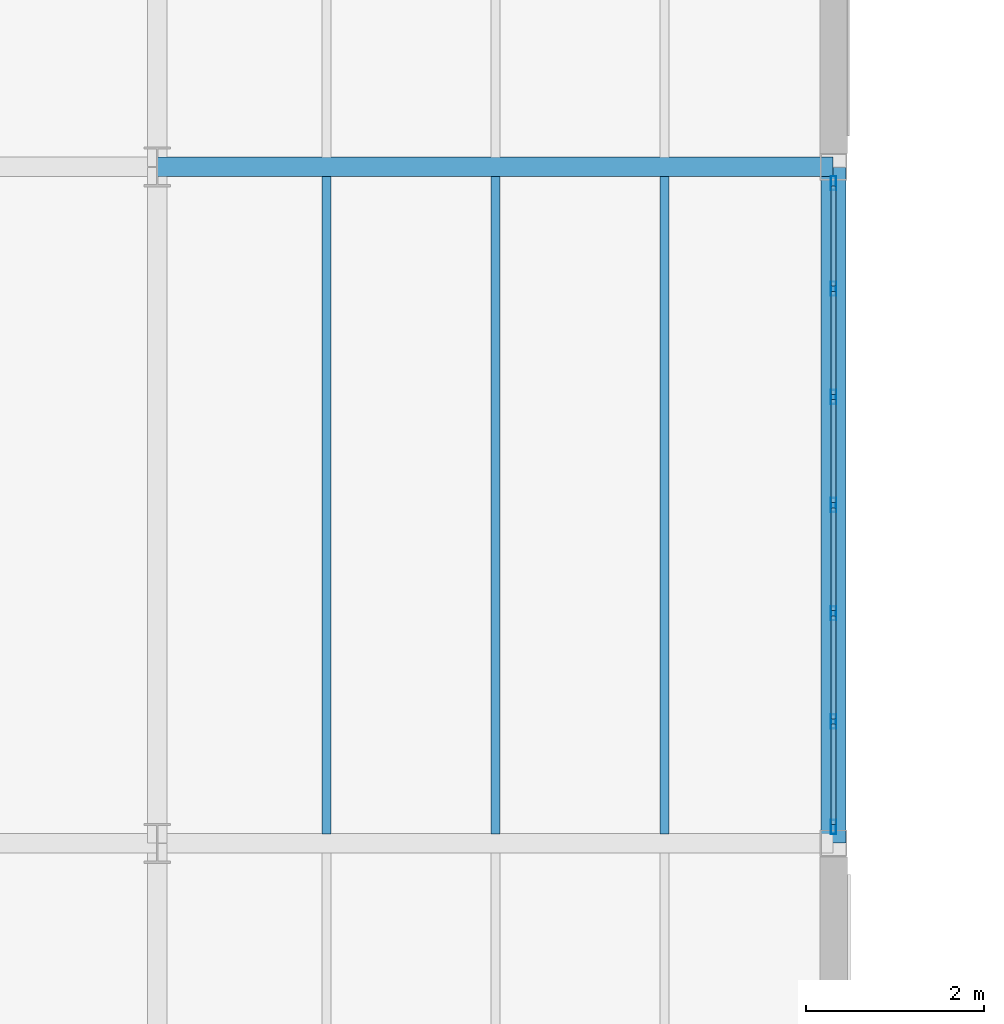
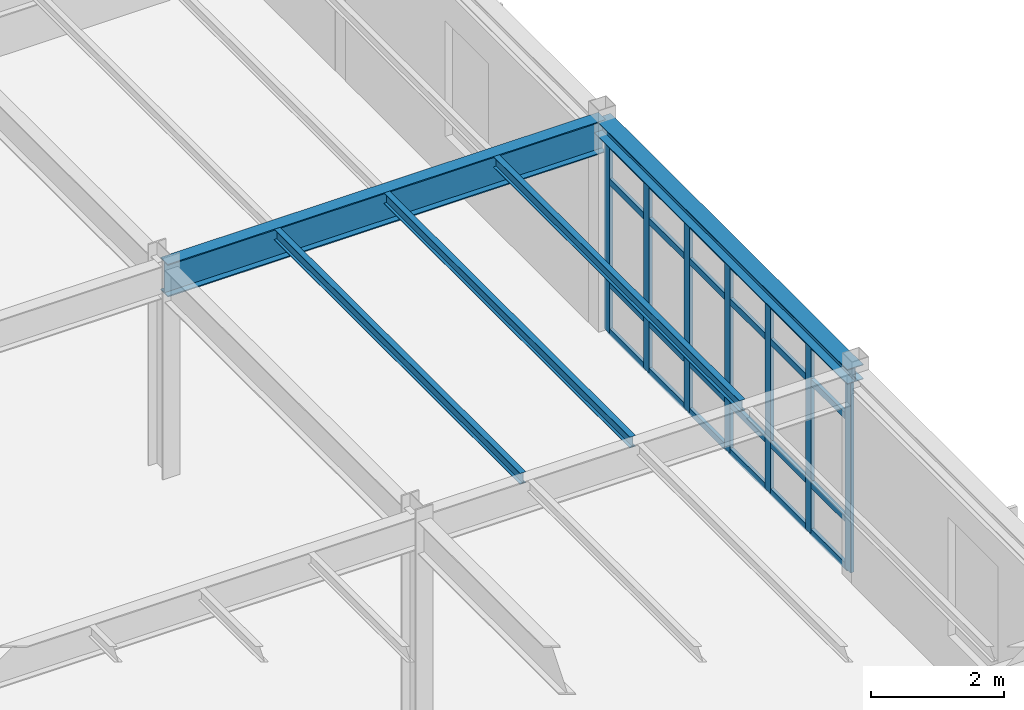
# One storey, part 71 of 165: 31 members, 5 beams, 1 element without a shape of its own.
"""IFC4 building model written with IfcOpenShell, lengths in metres."""

from ifc_helpers import new_model, si_unit, direction, frame, origin, origin_2d, place, context, subcontext, project, spatial, hollow_rectangle, i_section, extrude, material, layer, layer_set, material_profile, profile_set, type_object, element, aggregate, save


model = new_model("IFC4")

# Units and contexts
model_context = context("Model", 3, precision=1e-05, world=origin(), true_north=direction((0.0, 1.0)))
body_context = subcontext(model_context, "Body", "Model", "MODEL_VIEW")
ifc_project = project(units=[si_unit("LENGTHUNIT", "METRE"), si_unit("AREAUNIT", "SQUARE_METRE"), si_unit("VOLUMEUNIT", "CUBIC_METRE"), si_unit("PLANEANGLEUNIT", "RADIAN"), si_unit("MASSUNIT", "GRAM", prefix="KILO")], contexts=[model_context])

# Site, building, storey
site_placement = place(None, origin())
site = spatial("IfcSite", under=ifc_project, at=site_placement, CompositionType="ELEMENT")
building_placement = place(site_placement, origin())
building = spatial("IfcBuilding", under=site, at=building_placement, Name="Montecoro Central Library", CompositionType="ELEMENT")
storey_placement = place(building_placement, frame((0.0, 0.0, 5.10009765625)))
storey = spatial("IfcBuildingStorey", under=building, at=storey_placement, Name="L01", CompositionType="ELEMENT", Elevation=5.10009765625)

# Beams
ifc_material_1 = material(Name="Steel S355J2", Category="steel")
ifc_material_profile_1 = material_profile(ifc_material_1, i_section(OverallWidth=0.219970703125, OverallDepth=0.60009765625, WebThickness=0.011962890625, FlangeThickness=0.01904296875, at=origin_2d()), Name="IPE 600")
ifc_profile_set_1 = profile_set([ifc_material_profile_1], Name="Steel S355J2")
beam_type_1 = type_object("IfcBeamType", Name="BM-G-IPE600", PredefinedType="USERDEFINED", material=ifc_profile_set_1)
beam_1_placement = place(storey_placement, frame((35.405029296875, 88.60009765625, 3.52490234375), z_axis=(1.0, 0.0, 0.0), x_axis=(0.0, 1.0, 0.0)))
element("IfcBeam", 1, at=beam_1_placement, inside=storey, type_object=beam_type_1, Name="V4-L01-BX-56-M", ObjectType="GIRDER", PredefinedType="USERDEFINED", context=body_context, shape_type="SweptSolid", body=[
    extrude(i_section(OverallWidth=0.219970703125, OverallDepth=0.60009765625, WebThickness=0.011962890625, FlangeThickness=0.01904296875, at=origin_2d()), origin(), (0.0, 0.0, 1.0), 7.590087890625),
])
ifc_material_2 = material(Name="Steel S355", Category="steel")
ifc_material_profile_2 = material_profile(ifc_material_2, i_section(OverallWidth=0.10009765625, OverallDepth=0.199951171875, WebThickness=0.005615234375, FlangeThickness=0.008544921875, at=origin_2d()), Name="IPE 200")
ifc_profile_set_2 = profile_set([ifc_material_profile_2], Name="Steel S355")
beam_type_2 = type_object("IfcBeamType", Name="BM-J-IPE200", PredefinedType="JOIST", material=ifc_profile_set_2)
for number, where, z_axis, x_axis, name in (
    (2, (37.300048828125, 81.10693359375, 3.724853515625), (0.0, 1.0, 0.0), (-1.0, 0.0, 0.0), "V4-L01-JS-56-LM-1"),
    (3, (39.199951171875, 81.10693359375, 3.724853515625), (0.0, 1.0, 0.0), (-1.0, 0.0, 0.0), "V4-L01-JS-56-LM-2"),
    (4, (41.10009765625, 81.10693359375, 3.724853515625), (0.0, 1.0, 0.0), (-1.0, 0.0, 0.0), "V4-L01-JS-56-LM-3"),
):
    element("IfcBeam", number, at=place(storey_placement, frame(where, z_axis=z_axis, x_axis=x_axis)), inside=storey, type_object=beam_type_2, Name=name, PredefinedType="JOIST", context=body_context, shape_type="SweptSolid", body=[
        extrude(i_section(OverallWidth=0.10009765625, OverallDepth=0.199951171875, WebThickness=0.005615234375, FlangeThickness=0.008544921875, at=origin_2d()), origin(), (0.0, 0.0, 1.0), 7.385986328125),
    ])
ifc_material_profile_3 = material_profile(ifc_material_2, i_section(OverallWidth=0.280029296875, OverallDepth=0.27001953125, WebThickness=0.008056640625, FlangeThickness=0.012939453125, at=origin_2d()), Name="HEA 280")
ifc_profile_set_3 = profile_set([ifc_material_profile_3], Name="Steel S355")
beam_type_3 = type_object("IfcBeamType", Name="BM-SP-HEA280", PredefinedType="SPANDREL", material=ifc_profile_set_3)
beam_2_placement = place(storey_placement, frame((43.0, 81.0048828125, 3.68994140625), z_axis=(0.0, 1.0, 0.0), x_axis=(-1.0, 0.0, 0.0)))
element("IfcBeam", 5, at=beam_2_placement, inside=storey, type_object=beam_type_3, Name="V4-L01-BY-6-LM", PredefinedType="SPANDREL", context=body_context, shape_type="SweptSolid", body=[
    extrude(i_section(OverallWidth=0.280029296875, OverallDepth=0.27001953125, WebThickness=0.008056640625, FlangeThickness=0.012939453125, at=origin_2d()), origin(), (0.0, 0.0, 1.0), 7.590087890625),
])

# Curtain wall, members
ifc_material_3 = material(Name="Bronze-anodised aluminium and low-E glazing", Category="aluminium")
ifc_layer = layer(ifc_material_3, 0.159912109375)
ifc_layer_set = layer_set([ifc_layer], Name="Bronze-anodised aluminium and low-E glazing")
curtain_wall_type = type_object("IfcCurtainWallType", Name="CWT-043", PredefinedType="NOTDEFINED", material=ifc_layer_set)
curtain_wall_placement = place(storey_placement, origin())
curtain_wall = element("IfcCurtainWall", 6, at=curtain_wall_placement, inside=storey, type_object=curtain_wall_type, Name="V4-L01-CW-E1", PredefinedType="NOTDEFINED")
ifc_material_4 = material(Name="Bronze-anodised aluminium", Category="aluminium")
ifc_material_profile_4 = material_profile(ifc_material_4, hollow_rectangle(XDim=0.06005859375, YDim=0.159912109375, WallThickness=0.00390625, at=origin_2d()), Name="CWM 160x60x4.0")
ifc_profile_set_4 = profile_set([ifc_material_profile_4], Name="Bronze-anodised aluminium")
member_type_1 = type_object("IfcMemberType", Name="CWM-BRZ-60", PredefinedType="MULLION", material=ifc_profile_set_4)
member_1_placement = place(storey_placement, frame((43.0, 81.18310546875, 0.0), z_axis=(0.0, 0.0, 1.0), x_axis=(-1.0, 0.0, 0.0)))
member_1 = element("IfcMember", 7, at=member_1_placement, type_object=member_type_1, Name="CW-043 mullion 1", PredefinedType="MULLION", context=body_context, shape_type="SweptSolid", body=[
    extrude(hollow_rectangle(XDim=0.06005859375, YDim=0.159912109375, WallThickness=0.00390625, at=origin_2d()), origin(), (0.0, 0.0, 1.0), 3.47998046875),
])
member_2_placement = place(storey_placement, frame((43.0, 82.36865234375, 0.0), z_axis=(0.0, 0.0, 1.0), x_axis=(-1.0, 0.0, 0.0)))
member_2 = element("IfcMember", 8, at=member_2_placement, type_object=member_type_1, Name="CW-043 mullion 2", PredefinedType="MULLION", context=body_context, shape_type="SweptSolid", body=[
    extrude(hollow_rectangle(XDim=0.06005859375, YDim=0.159912109375, WallThickness=0.00390625, at=origin_2d()), origin(), (0.0, 0.0, 1.0), 3.47998046875),
])
member_3_placement = place(storey_placement, frame((43.0, 83.584228515625, 0.0), z_axis=(0.0, 0.0, 1.0), x_axis=(-1.0, 0.0, 0.0)))
member_3 = element("IfcMember", 9, at=member_3_placement, type_object=member_type_1, Name="CW-043 mullion 3", PredefinedType="MULLION", context=body_context, shape_type="SweptSolid", body=[
    extrude(hollow_rectangle(XDim=0.06005859375, YDim=0.159912109375, WallThickness=0.00390625, at=origin_2d()), origin(), (0.0, 0.0, 1.0), 3.47998046875),
])
member_4_placement = place(storey_placement, frame((43.0, 84.800048828125, 0.0), z_axis=(0.0, 0.0, 1.0), x_axis=(-1.0, 0.0, 0.0)))
member_4 = element("IfcMember", 10, at=member_4_placement, type_object=member_type_1, Name="CW-043 mullion 4", PredefinedType="MULLION", context=body_context, shape_type="SweptSolid", body=[
    extrude(hollow_rectangle(XDim=0.06005859375, YDim=0.159912109375, WallThickness=0.00390625, at=origin_2d()), origin(), (0.0, 0.0, 1.0), 3.47998046875),
])
member_5_placement = place(storey_placement, frame((43.0, 86.015625, 0.0), z_axis=(0.0, 0.0, 1.0), x_axis=(-1.0, 0.0, 0.0)))
member_5 = element("IfcMember", 11, at=member_5_placement, type_object=member_type_1, Name="CW-043 mullion 5", PredefinedType="MULLION", context=body_context, shape_type="SweptSolid", body=[
    extrude(hollow_rectangle(XDim=0.06005859375, YDim=0.159912109375, WallThickness=0.00390625, at=origin_2d()), origin(), (0.0, 0.0, 1.0), 3.47998046875),
])
member_6_placement = place(storey_placement, frame((43.0, 87.2314453125, 0.0), z_axis=(0.0, 0.0, 1.0), x_axis=(-1.0, 0.0, 0.0)))
member_6 = element("IfcMember", 12, at=member_6_placement, type_object=member_type_1, Name="CW-043 mullion 6", PredefinedType="MULLION", context=body_context, shape_type="SweptSolid", body=[
    extrude(hollow_rectangle(XDim=0.06005859375, YDim=0.159912109375, WallThickness=0.00390625, at=origin_2d()), origin(), (0.0, 0.0, 1.0), 3.47998046875),
])
member_7_placement = place(storey_placement, frame((43.0, 88.4169921875, 0.0), z_axis=(0.0, 0.0, 1.0), x_axis=(-1.0, 0.0, 0.0)))
member_7 = element("IfcMember", 13, at=member_7_placement, type_object=member_type_1, Name="CW-043 mullion 7", PredefinedType="MULLION", context=body_context, shape_type="SweptSolid", body=[
    extrude(hollow_rectangle(XDim=0.06005859375, YDim=0.159912109375, WallThickness=0.00390625, at=origin_2d()), origin(), (0.0, 0.0, 1.0), 3.47998046875),
])
ifc_material_profile_5 = material_profile(ifc_material_4, hollow_rectangle(XDim=0.06005859375, YDim=0.1201171875, WallThickness=0.00390625, at=origin_2d()), Name="CWT 120x60x4.0")
ifc_profile_set_5 = profile_set([ifc_material_profile_5], Name="Bronze-anodised aluminium")
member_type_2 = type_object("IfcMemberType", Name="CWT-BRZ-60", PredefinedType="USERDEFINED", material=ifc_profile_set_5)
member_8_placement = place(storey_placement, frame((43.0, 81.212890625, 0.02978515625), z_axis=(0.0, 1.0, 0.0), x_axis=(-1.0, 0.0, 0.0)))
member_8 = element("IfcMember", 14, at=member_8_placement, type_object=member_type_2, Name="CW-043 transom 1.1", ObjectType="TRANSOM", PredefinedType="USERDEFINED", context=body_context, shape_type="SweptSolid", body=[
    extrude(hollow_rectangle(XDim=0.06005859375, YDim=0.1201171875, WallThickness=0.00390625, at=origin_2d()), origin(), (0.0, 0.0, 1.0), 1.125732421875),
])
member_9_placement = place(storey_placement, frame((43.0, 81.212890625, 0.89990234375), z_axis=(0.0, 1.0, 0.0), x_axis=(-1.0, 0.0, 0.0)))
member_9 = element("IfcMember", 15, at=member_9_placement, type_object=member_type_2, Name="CW-043 transom 1.2", ObjectType="TRANSOM", PredefinedType="USERDEFINED", context=body_context, shape_type="SweptSolid", body=[
    extrude(hollow_rectangle(XDim=0.06005859375, YDim=0.1201171875, WallThickness=0.00390625, at=origin_2d()), origin(), (0.0, 0.0, 1.0), 1.125732421875),
])
member_10_placement = place(storey_placement, frame((43.0, 81.212890625, 2.77978515625), z_axis=(0.0, 1.0, 0.0), x_axis=(-1.0, 0.0, 0.0)))
member_10 = element("IfcMember", 16, at=member_10_placement, type_object=member_type_2, Name="CW-043 transom 1.3", ObjectType="TRANSOM", PredefinedType="USERDEFINED", context=body_context, shape_type="SweptSolid", body=[
    extrude(hollow_rectangle(XDim=0.06005859375, YDim=0.1201171875, WallThickness=0.00390625, at=origin_2d()), origin(), (0.0, 0.0, 1.0), 1.125732421875),
])
member_11_placement = place(storey_placement, frame((43.0, 81.212890625, 3.449951171875), z_axis=(0.0, 1.0, 0.0), x_axis=(-1.0, 0.0, 0.0)))
member_11 = element("IfcMember", 17, at=member_11_placement, type_object=member_type_2, Name="CW-043 transom 1.4", ObjectType="TRANSOM", PredefinedType="USERDEFINED", context=body_context, shape_type="SweptSolid", body=[
    extrude(hollow_rectangle(XDim=0.06005859375, YDim=0.1201171875, WallThickness=0.00390625, at=origin_2d()), origin(), (0.0, 0.0, 1.0), 1.125732421875),
])
member_12_placement = place(storey_placement, frame((43.0, 82.398681640625, 0.02978515625), z_axis=(0.0, 1.0, 0.0), x_axis=(-1.0, 0.0, 0.0)))
member_12 = element("IfcMember", 18, at=member_12_placement, type_object=member_type_2, Name="CW-043 transom 2.1", ObjectType="TRANSOM", PredefinedType="USERDEFINED", context=body_context, shape_type="SweptSolid", body=[
    extrude(hollow_rectangle(XDim=0.06005859375, YDim=0.1201171875, WallThickness=0.00390625, at=origin_2d()), origin(), (0.0, 0.0, 1.0), 1.15576171875),
])
member_13_placement = place(storey_placement, frame((43.0, 82.398681640625, 0.89990234375), z_axis=(0.0, 1.0, 0.0), x_axis=(-1.0, 0.0, 0.0)))
member_13 = element("IfcMember", 19, at=member_13_placement, type_object=member_type_2, Name="CW-043 transom 2.2", ObjectType="TRANSOM", PredefinedType="USERDEFINED", context=body_context, shape_type="SweptSolid", body=[
    extrude(hollow_rectangle(XDim=0.06005859375, YDim=0.1201171875, WallThickness=0.00390625, at=origin_2d()), origin(), (0.0, 0.0, 1.0), 1.15576171875),
])
member_14_placement = place(storey_placement, frame((43.0, 82.398681640625, 2.77978515625), z_axis=(0.0, 1.0, 0.0), x_axis=(-1.0, 0.0, 0.0)))
member_14 = element("IfcMember", 20, at=member_14_placement, type_object=member_type_2, Name="CW-043 transom 2.3", ObjectType="TRANSOM", PredefinedType="USERDEFINED", context=body_context, shape_type="SweptSolid", body=[
    extrude(hollow_rectangle(XDim=0.06005859375, YDim=0.1201171875, WallThickness=0.00390625, at=origin_2d()), origin(), (0.0, 0.0, 1.0), 1.15576171875),
])
member_15_placement = place(storey_placement, frame((43.0, 82.398681640625, 3.449951171875), z_axis=(0.0, 1.0, 0.0), x_axis=(-1.0, 0.0, 0.0)))
member_15 = element("IfcMember", 21, at=member_15_placement, type_object=member_type_2, Name="CW-043 transom 2.4", ObjectType="TRANSOM", PredefinedType="USERDEFINED", context=body_context, shape_type="SweptSolid", body=[
    extrude(hollow_rectangle(XDim=0.06005859375, YDim=0.1201171875, WallThickness=0.00390625, at=origin_2d()), origin(), (0.0, 0.0, 1.0), 1.15576171875),
])
member_16_placement = place(storey_placement, frame((43.0, 83.6142578125, 0.02978515625), z_axis=(0.0, 1.0, 0.0), x_axis=(-1.0, 0.0, 0.0)))
member_16 = element("IfcMember", 22, at=member_16_placement, type_object=member_type_2, Name="CW-043 transom 3.1", ObjectType="TRANSOM", PredefinedType="USERDEFINED", context=body_context, shape_type="SweptSolid", body=[
    extrude(hollow_rectangle(XDim=0.06005859375, YDim=0.1201171875, WallThickness=0.00390625, at=origin_2d()), origin(), (0.0, 0.0, 1.0), 1.15576171875),
])
member_17_placement = place(storey_placement, frame((43.0, 83.6142578125, 0.89990234375), z_axis=(0.0, 1.0, 0.0), x_axis=(-1.0, 0.0, 0.0)))
member_17 = element("IfcMember", 23, at=member_17_placement, type_object=member_type_2, Name="CW-043 transom 3.2", ObjectType="TRANSOM", PredefinedType="USERDEFINED", context=body_context, shape_type="SweptSolid", body=[
    extrude(hollow_rectangle(XDim=0.06005859375, YDim=0.1201171875, WallThickness=0.00390625, at=origin_2d()), origin(), (0.0, 0.0, 1.0), 1.15576171875),
])
member_18_placement = place(storey_placement, frame((43.0, 83.6142578125, 2.77978515625), z_axis=(0.0, 1.0, 0.0), x_axis=(-1.0, 0.0, 0.0)))
member_18 = element("IfcMember", 24, at=member_18_placement, type_object=member_type_2, Name="CW-043 transom 3.3", ObjectType="TRANSOM", PredefinedType="USERDEFINED", context=body_context, shape_type="SweptSolid", body=[
    extrude(hollow_rectangle(XDim=0.06005859375, YDim=0.1201171875, WallThickness=0.00390625, at=origin_2d()), origin(), (0.0, 0.0, 1.0), 1.15576171875),
])
member_19_placement = place(storey_placement, frame((43.0, 83.6142578125, 3.449951171875), z_axis=(0.0, 1.0, 0.0), x_axis=(-1.0, 0.0, 0.0)))
member_19 = element("IfcMember", 25, at=member_19_placement, type_object=member_type_2, Name="CW-043 transom 3.4", ObjectType="TRANSOM", PredefinedType="USERDEFINED", context=body_context, shape_type="SweptSolid", body=[
    extrude(hollow_rectangle(XDim=0.06005859375, YDim=0.1201171875, WallThickness=0.00390625, at=origin_2d()), origin(), (0.0, 0.0, 1.0), 1.15576171875),
])
member_20_placement = place(storey_placement, frame((43.0, 84.830078125, 0.02978515625), z_axis=(0.0, 1.0, 0.0), x_axis=(-1.0, 0.0, 0.0)))
member_20 = element("IfcMember", 26, at=member_20_placement, type_object=member_type_2, Name="CW-043 transom 4.1", ObjectType="TRANSOM", PredefinedType="USERDEFINED", context=body_context, shape_type="SweptSolid", body=[
    extrude(hollow_rectangle(XDim=0.06005859375, YDim=0.1201171875, WallThickness=0.00390625, at=origin_2d()), origin(), (0.0, 0.0, 1.0), 1.155517578125),
])
member_21_placement = place(storey_placement, frame((43.0, 84.830078125, 0.89990234375), z_axis=(0.0, 1.0, 0.0), x_axis=(-1.0, 0.0, 0.0)))
member_21 = element("IfcMember", 27, at=member_21_placement, type_object=member_type_2, Name="CW-043 transom 4.2", ObjectType="TRANSOM", PredefinedType="USERDEFINED", context=body_context, shape_type="SweptSolid", body=[
    extrude(hollow_rectangle(XDim=0.06005859375, YDim=0.1201171875, WallThickness=0.00390625, at=origin_2d()), origin(), (0.0, 0.0, 1.0), 1.155517578125),
])
member_22_placement = place(storey_placement, frame((43.0, 84.830078125, 2.77978515625), z_axis=(0.0, 1.0, 0.0), x_axis=(-1.0, 0.0, 0.0)))
member_22 = element("IfcMember", 28, at=member_22_placement, type_object=member_type_2, Name="CW-043 transom 4.3", ObjectType="TRANSOM", PredefinedType="USERDEFINED", context=body_context, shape_type="SweptSolid", body=[
    extrude(hollow_rectangle(XDim=0.06005859375, YDim=0.1201171875, WallThickness=0.00390625, at=origin_2d()), origin(), (0.0, 0.0, 1.0), 1.155517578125),
])
member_23_placement = place(storey_placement, frame((43.0, 84.830078125, 3.449951171875), z_axis=(0.0, 1.0, 0.0), x_axis=(-1.0, 0.0, 0.0)))
member_23 = element("IfcMember", 29, at=member_23_placement, type_object=member_type_2, Name="CW-043 transom 4.4", ObjectType="TRANSOM", PredefinedType="USERDEFINED", context=body_context, shape_type="SweptSolid", body=[
    extrude(hollow_rectangle(XDim=0.06005859375, YDim=0.1201171875, WallThickness=0.00390625, at=origin_2d()), origin(), (0.0, 0.0, 1.0), 1.155517578125),
])
member_24_placement = place(storey_placement, frame((43.0, 86.045654296875, 0.02978515625), z_axis=(0.0, 1.0, 0.0), x_axis=(-1.0, 0.0, 0.0)))
member_24 = element("IfcMember", 30, at=member_24_placement, type_object=member_type_2, Name="CW-043 transom 5.1", ObjectType="TRANSOM", PredefinedType="USERDEFINED", context=body_context, shape_type="SweptSolid", body=[
    extrude(hollow_rectangle(XDim=0.06005859375, YDim=0.1201171875, WallThickness=0.00390625, at=origin_2d()), origin(), (0.0, 0.0, 1.0), 1.15576171875),
])
member_25_placement = place(storey_placement, frame((43.0, 86.045654296875, 0.89990234375), z_axis=(0.0, 1.0, 0.0), x_axis=(-1.0, 0.0, 0.0)))
member_25 = element("IfcMember", 31, at=member_25_placement, type_object=member_type_2, Name="CW-043 transom 5.2", ObjectType="TRANSOM", PredefinedType="USERDEFINED", context=body_context, shape_type="SweptSolid", body=[
    extrude(hollow_rectangle(XDim=0.06005859375, YDim=0.1201171875, WallThickness=0.00390625, at=origin_2d()), origin(), (0.0, 0.0, 1.0), 1.15576171875),
])
member_26_placement = place(storey_placement, frame((43.0, 86.045654296875, 2.77978515625), z_axis=(0.0, 1.0, 0.0), x_axis=(-1.0, 0.0, 0.0)))
member_26 = element("IfcMember", 32, at=member_26_placement, type_object=member_type_2, Name="CW-043 transom 5.3", ObjectType="TRANSOM", PredefinedType="USERDEFINED", context=body_context, shape_type="SweptSolid", body=[
    extrude(hollow_rectangle(XDim=0.06005859375, YDim=0.1201171875, WallThickness=0.00390625, at=origin_2d()), origin(), (0.0, 0.0, 1.0), 1.15576171875),
])
member_27_placement = place(storey_placement, frame((43.0, 86.045654296875, 3.449951171875), z_axis=(0.0, 1.0, 0.0), x_axis=(-1.0, 0.0, 0.0)))
member_27 = element("IfcMember", 33, at=member_27_placement, type_object=member_type_2, Name="CW-043 transom 5.4", ObjectType="TRANSOM", PredefinedType="USERDEFINED", context=body_context, shape_type="SweptSolid", body=[
    extrude(hollow_rectangle(XDim=0.06005859375, YDim=0.1201171875, WallThickness=0.00390625, at=origin_2d()), origin(), (0.0, 0.0, 1.0), 1.15576171875),
])
member_28_placement = place(storey_placement, frame((43.0, 87.26123046875, 0.02978515625), z_axis=(0.0, 1.0, 0.0), x_axis=(-1.0, 0.0, 0.0)))
member_28 = element("IfcMember", 34, at=member_28_placement, type_object=member_type_2, Name="CW-043 transom 6.1", ObjectType="TRANSOM", PredefinedType="USERDEFINED", context=body_context, shape_type="SweptSolid", body=[
    extrude(hollow_rectangle(XDim=0.06005859375, YDim=0.1201171875, WallThickness=0.00390625, at=origin_2d()), origin(), (0.0, 0.0, 1.0), 1.125732421875),
])
member_29_placement = place(storey_placement, frame((43.0, 87.26123046875, 0.89990234375), z_axis=(0.0, 1.0, 0.0), x_axis=(-1.0, 0.0, 0.0)))
member_29 = element("IfcMember", 35, at=member_29_placement, type_object=member_type_2, Name="CW-043 transom 6.2", ObjectType="TRANSOM", PredefinedType="USERDEFINED", context=body_context, shape_type="SweptSolid", body=[
    extrude(hollow_rectangle(XDim=0.06005859375, YDim=0.1201171875, WallThickness=0.00390625, at=origin_2d()), origin(), (0.0, 0.0, 1.0), 1.125732421875),
])
member_30_placement = place(storey_placement, frame((43.0, 87.26123046875, 2.77978515625), z_axis=(0.0, 1.0, 0.0), x_axis=(-1.0, 0.0, 0.0)))
member_30 = element("IfcMember", 36, at=member_30_placement, type_object=member_type_2, Name="CW-043 transom 6.3", ObjectType="TRANSOM", PredefinedType="USERDEFINED", context=body_context, shape_type="SweptSolid", body=[
    extrude(hollow_rectangle(XDim=0.06005859375, YDim=0.1201171875, WallThickness=0.00390625, at=origin_2d()), origin(), (0.0, 0.0, 1.0), 1.125732421875),
])
member_31_placement = place(storey_placement, frame((43.0, 87.26123046875, 3.449951171875), z_axis=(0.0, 1.0, 0.0), x_axis=(-1.0, 0.0, 0.0)))
member_31 = element("IfcMember", 37, at=member_31_placement, type_object=member_type_2, Name="CW-043 transom 6.4", ObjectType="TRANSOM", PredefinedType="USERDEFINED", context=body_context, shape_type="SweptSolid", body=[
    extrude(hollow_rectangle(XDim=0.06005859375, YDim=0.1201171875, WallThickness=0.00390625, at=origin_2d()), origin(), (0.0, 0.0, 1.0), 1.125732421875),
])
aggregate(curtain_wall, [member_1, member_2, member_3, member_4, member_5, member_6, member_7, member_8, member_9, member_10, member_11, member_12, member_13, member_14, member_15, member_16, member_17, member_18, member_19, member_20, member_21, member_22, member_23, member_24, member_25, member_26, member_27, member_28, member_29, member_30, member_31])

save(model, "model.ifc")
